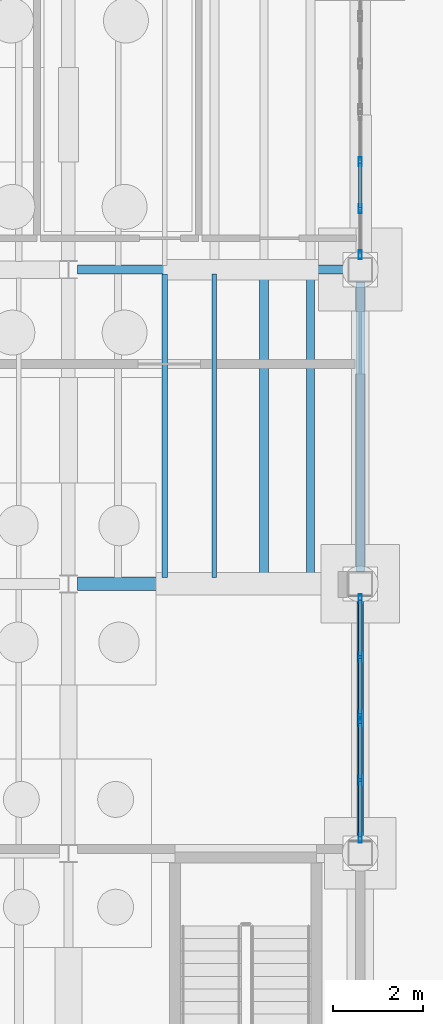
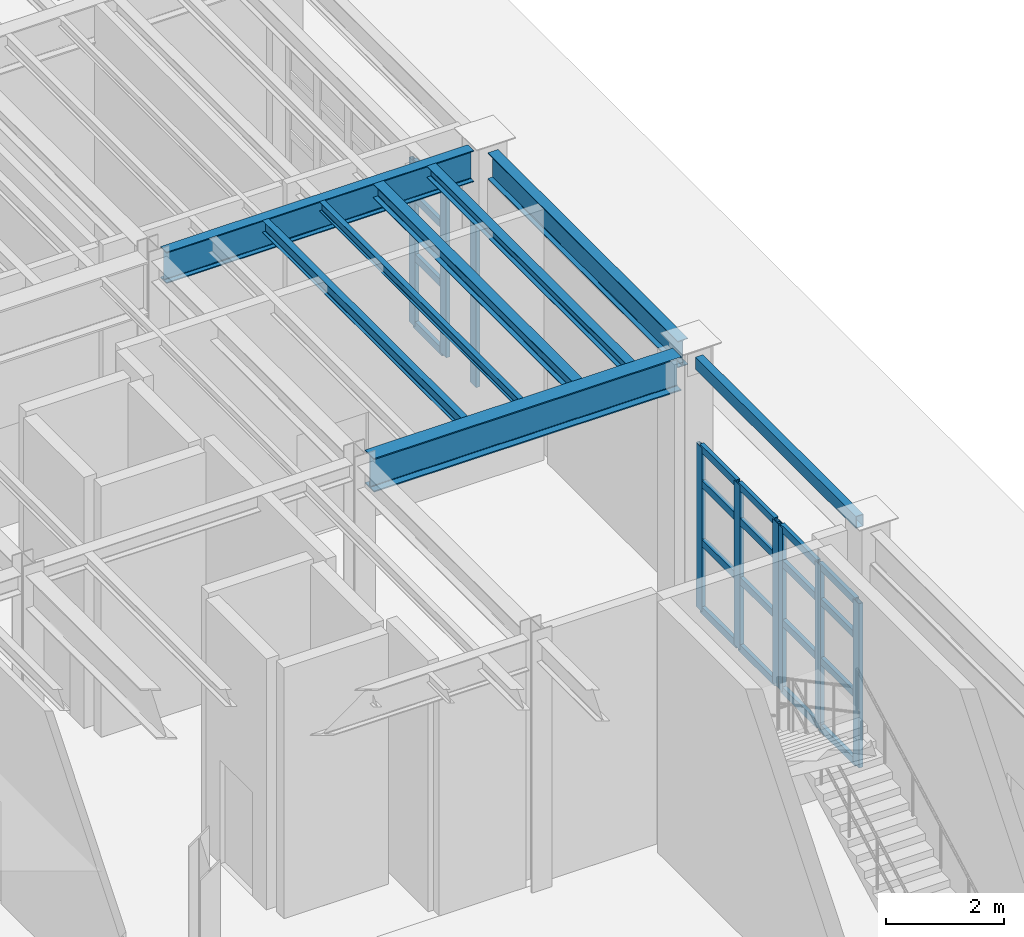
# One storey, part 45 of 86: 29 members, 8 beams, 3 elements without a shape of their own.
"""IFC4 building model written with IfcOpenShell, lengths in metres."""

from ifc_helpers import new_model, si_unit, direction, frame, origin, origin_2d, place, context, subcontext, project, spatial, hollow_rectangle, i_section, extrude, material, material_profile, profile_set, type_object, element, aggregate, save


model = new_model("IFC4")

# Units and contexts
model_context = context("Model", 3, precision=1e-05, world=origin(), true_north=direction((0.0, 1.0)))
body_context = subcontext(model_context, "Body", "Model", "MODEL_VIEW")
ifc_project = project(units=[si_unit("LENGTHUNIT", "METRE"), si_unit("AREAUNIT", "SQUARE_METRE"), si_unit("VOLUMEUNIT", "CUBIC_METRE"), si_unit("PLANEANGLEUNIT", "RADIAN"), si_unit("MASSUNIT", "GRAM", prefix="KILO"), si_unit("THERMODYNAMICTEMPERATUREUNIT", "KELVIN"), si_unit("POWERUNIT", "WATT")], contexts=[model_context])

# Site, building, storey
site_placement = place(None, origin())
site = spatial("IfcSite", under=ifc_project, at=site_placement, CompositionType="ELEMENT")
building_placement = place(site_placement, origin())
building = spatial("IfcBuilding", under=site, at=building_placement, Name="Zhenchuan Central Fire Station", CompositionType="ELEMENT")
storey_placement = place(building_placement, frame((0.0, 0.0, 0.449951171875)))
storey = spatial("IfcBuildingStorey", under=building, at=storey_placement, Name="L01", CompositionType="ELEMENT", Elevation=0.449951171875)

# Beams
ifc_material_1 = material(Name="Steel Q355B", Category="steel")
ifc_material_profile_1 = material_profile(ifc_material_1, i_section(OverallWidth=0.199951171875, OverallDepth=0.550048828125, WebThickness=0.010009765625, FlangeThickness=0.01611328125, FilletRadius=0.02001953125, at=origin_2d()), Name="HN 550x200")
ifc_profile_set_1 = profile_set([ifc_material_profile_1], Name="Steel Q355B")
beam_type_1 = type_object("IfcBeamType", Name="BM-HN550", PredefinedType="BEAM", material=ifc_profile_set_1)
beam_1_placement = place(storey_placement, frame((161.0, 28.77490234375, 4.925048828125), z_axis=(0.0, 1.0, 0.0), x_axis=(-1.0, 0.0, 0.0)))
element("IfcBeam", 1, at=beam_1_placement, inside=storey, type_object=beam_type_1, Name="L02 Girder NS 0179", PredefinedType="BEAM", context=body_context, shape_type="SweptSolid", body=[
    extrude(i_section(OverallWidth=0.199951171875, OverallDepth=0.550048828125, WebThickness=0.010009765625, FlangeThickness=0.01611328125, FilletRadius=0.02001953125, at=origin_2d()), origin(), (0.0, 0.0, 1.0), 6.4501953125),
])
ifc_material_profile_2 = material_profile(ifc_material_1, i_section(OverallWidth=0.199951171875, OverallDepth=0.64990234375, WebThickness=0.011962890625, FlangeThickness=0.02001953125, FilletRadius=0.02197265625, at=origin_2d()), Name="HN 650x200")
ifc_profile_set_2 = profile_set([ifc_material_profile_2], Name="Steel Q355B")
beam_type_2 = type_object("IfcBeamType", Name="BM-HN650", PredefinedType="BEAM", material=ifc_profile_set_2)
beam_2_placement = place(storey_placement, frame((154.699951171875, 35.5, 4.875), z_axis=(1.0, 0.0, 0.0), x_axis=(0.0, 1.0, 0.0)))
element("IfcBeam", 2, at=beam_2_placement, inside=storey, type_object=beam_type_2, Name="L02 Girder EW 0071", PredefinedType="BEAM", context=body_context, shape_type="SweptSolid", body=[
    extrude(i_section(OverallWidth=0.199951171875, OverallDepth=0.64990234375, WebThickness=0.011962890625, FlangeThickness=0.02001953125, FilletRadius=0.02197265625, at=origin_2d()), origin(), (0.0, 0.0, 1.0), 6.025146484375),
])
ifc_material_profile_3 = material_profile(ifc_material_1, i_section(OverallWidth=0.300048828125, OverallDepth=0.699951171875, WebThickness=0.012939453125, FlangeThickness=0.02392578125, FilletRadius=0.02392578125, at=origin_2d()), Name="HN 700x300")
ifc_profile_set_3 = profile_set([ifc_material_profile_3], Name="Steel Q355B")
beam_type_3 = type_object("IfcBeamType", Name="BM-HN700", PredefinedType="BEAM", material=ifc_profile_set_3)
beam_3_placement = place(storey_placement, frame((154.699951171875, 28.5, 4.85009765625), z_axis=(1.0, 0.0, 0.0), x_axis=(0.0, 1.0, 0.0)))
element("IfcBeam", 3, at=beam_3_placement, inside=storey, type_object=beam_type_3, Name="L02 Girder EW 0052", PredefinedType="BEAM", context=body_context, shape_type="SweptSolid", body=[
    extrude(i_section(OverallWidth=0.300048828125, OverallDepth=0.699951171875, WebThickness=0.012939453125, FlangeThickness=0.02392578125, FilletRadius=0.02392578125, at=origin_2d()), origin(), (0.0, 0.0, 1.0), 6.025146484375),
])

# Curtain wall, members
ifc_material_2 = material(Name="Anodised aluminium and low-E glazing", Category="aluminium")
curtain_wall_type_1 = type_object("IfcCurtainWallType", Name="CW-MOD-07", PredefinedType="USERDEFINED", material=ifc_material_2)
curtain_wall_1_placement = place(storey_placement, origin())
curtain_wall_1 = element("IfcCurtainWall", 4, at=curtain_wall_1_placement, inside=storey, type_object=curtain_wall_type_1, Name="L01 Unitised Curtain Wall 076", ObjectType="UNITISED GLAZING", PredefinedType="USERDEFINED")
ifc_material_3 = material(Name="Anodised aluminium EN AW-6063", Category="aluminium")
ifc_material_profile_4 = material_profile(ifc_material_3, hollow_rectangle(XDim=0.074951171875, YDim=0.199951171875, WallThickness=0.0048828125, at=origin_2d()), Name="ALU-M 200x75")
ifc_profile_set_4 = profile_set([ifc_material_profile_4], Name="Anodised aluminium EN AW-6063")
member_type_1 = type_object("IfcMemberType", Name="CW-MUL160", PredefinedType="MULLION", material=ifc_profile_set_4)
member_1_placement = place(storey_placement, frame((161.0, 22.83251953125, -0.00390625), z_axis=(0.0, 0.0, 1.0), x_axis=(-1.0, 0.0, 0.0)))
member_1 = element("IfcMember", 5, at=member_1_placement, type_object=member_type_1, Name="CW-07 mullion 1", PredefinedType="MULLION", context=body_context, shape_type="SweptSolid", body=[
    extrude(hollow_rectangle(XDim=0.074951171875, YDim=0.199951171875, WallThickness=0.0048828125, at=origin_2d()), origin(), (0.0, 0.0, 1.0), 3.404052734375),
])
member_2_placement = place(storey_placement, frame((161.0, 24.131103515625, -0.00390625), z_axis=(0.0, 0.0, 1.0), x_axis=(-1.0, 0.0, 0.0)))
member_2 = element("IfcMember", 6, at=member_2_placement, type_object=member_type_1, Name="CW-07 mullion 2", PredefinedType="MULLION", context=body_context, shape_type="SweptSolid", body=[
    extrude(hollow_rectangle(XDim=0.074951171875, YDim=0.199951171875, WallThickness=0.0048828125, at=origin_2d()), origin(), (0.0, 0.0, 1.0), 3.404052734375),
])
member_3_placement = place(storey_placement, frame((161.0, 25.429443359375, -0.00390625), z_axis=(0.0, 0.0, 1.0), x_axis=(-1.0, 0.0, 0.0)))
member_3 = element("IfcMember", 7, at=member_3_placement, type_object=member_type_1, Name="CW-07 mullion 3", PredefinedType="MULLION", context=body_context, shape_type="SweptSolid", body=[
    extrude(hollow_rectangle(XDim=0.074951171875, YDim=0.199951171875, WallThickness=0.0048828125, at=origin_2d()), origin(), (0.0, 0.0, 1.0), 3.404052734375),
])

curtain_wall_type_2 = type_object("IfcCurtainWallType", Name="CW-MOD-08", PredefinedType="USERDEFINED", material=ifc_material_2)
curtain_wall_2_placement = place(storey_placement, origin())
curtain_wall_2 = element("IfcCurtainWall", 8, at=curtain_wall_2_placement, inside=storey, type_object=curtain_wall_type_2, Name="L01 Unitised Curtain Wall 077", ObjectType="UNITISED GLAZING", PredefinedType="USERDEFINED")
member_4_placement = place(storey_placement, frame((161.0, 25.570556640625, -0.00390625), z_axis=(0.0, 0.0, 1.0), x_axis=(-1.0, 0.0, 0.0)))
member_4 = element("IfcMember", 9, at=member_4_placement, type_object=member_type_1, Name="CW-08 mullion 1", PredefinedType="MULLION", context=body_context, shape_type="SweptSolid", body=[
    extrude(hollow_rectangle(XDim=0.074951171875, YDim=0.199951171875, WallThickness=0.0048828125, at=origin_2d()), origin(), (0.0, 0.0, 1.0), 3.404052734375),
])
member_5_placement = place(storey_placement, frame((161.0, 26.868896484375, -0.00390625), z_axis=(0.0, 0.0, 1.0), x_axis=(-1.0, 0.0, 0.0)))
member_5 = element("IfcMember", 10, at=member_5_placement, type_object=member_type_1, Name="CW-08 mullion 2", PredefinedType="MULLION", context=body_context, shape_type="SweptSolid", body=[
    extrude(hollow_rectangle(XDim=0.074951171875, YDim=0.199951171875, WallThickness=0.0048828125, at=origin_2d()), origin(), (0.0, 0.0, 1.0), 3.404052734375),
])
member_6_placement = place(storey_placement, frame((161.0, 28.16748046875, -0.00390625), z_axis=(0.0, 0.0, 1.0), x_axis=(-1.0, 0.0, 0.0)))
member_6 = element("IfcMember", 11, at=member_6_placement, type_object=member_type_1, Name="CW-08 mullion 3", PredefinedType="MULLION", context=body_context, shape_type="SweptSolid", body=[
    extrude(hollow_rectangle(XDim=0.074951171875, YDim=0.199951171875, WallThickness=0.0048828125, at=origin_2d()), origin(), (0.0, 0.0, 1.0), 3.404052734375),
])

curtain_wall_type_3 = type_object("IfcCurtainWallType", Name="CW-MOD-11", PredefinedType="USERDEFINED", material=ifc_material_2)
curtain_wall_3_placement = place(storey_placement, origin())
curtain_wall_3 = element("IfcCurtainWall", 12, at=curtain_wall_3_placement, inside=storey, type_object=curtain_wall_type_3, Name="L01 Unitised Curtain Wall 078", ObjectType="UNITISED GLAZING", PredefinedType="USERDEFINED")
member_7_placement = place(storey_placement, frame((161.0, 35.83251953125, -0.00390625), z_axis=(0.0, 0.0, 1.0), x_axis=(-1.0, 0.0, 0.0)))
member_7 = element("IfcMember", 13, at=member_7_placement, type_object=member_type_1, Name="CW-11 mullion 1", PredefinedType="MULLION", context=body_context, shape_type="SweptSolid", body=[
    extrude(hollow_rectangle(XDim=0.074951171875, YDim=0.199951171875, WallThickness=0.0048828125, at=origin_2d()), origin(), (0.0, 0.0, 1.0), 3.404052734375),
])
member_8_placement = place(storey_placement, frame((161.0, 36.85400390625, -0.00390625), z_axis=(0.0, 0.0, 1.0), x_axis=(-1.0, 0.0, 0.0)))
member_8 = element("IfcMember", 14, at=member_8_placement, type_object=member_type_1, Name="CW-11 mullion 2", PredefinedType="MULLION", context=body_context, shape_type="SweptSolid", body=[
    extrude(hollow_rectangle(XDim=0.074951171875, YDim=0.199951171875, WallThickness=0.0048828125, at=origin_2d()), origin(), (0.0, 0.0, 1.0), 3.404052734375),
])
member_9_placement = place(storey_placement, frame((161.0, 37.907958984375, -0.00390625), z_axis=(0.0, 0.0, 1.0), x_axis=(-1.0, 0.0, 0.0)))
member_9 = element("IfcMember", 15, at=member_9_placement, type_object=member_type_1, Name="CW-11 mullion 3", PredefinedType="MULLION", context=body_context, shape_type="SweptSolid", body=[
    extrude(hollow_rectangle(XDim=0.074951171875, YDim=0.199951171875, WallThickness=0.0048828125, at=origin_2d()), origin(), (0.0, 0.0, 1.0), 3.404052734375),
])

# Member
ifc_material_profile_5 = material_profile(ifc_material_3, hollow_rectangle(XDim=0.074951171875, YDim=0.14990234375, WallThickness=0.0048828125, at=origin_2d()), Name="ALU-T 150x75")
ifc_profile_set_5 = profile_set([ifc_material_profile_5], Name="Anodised aluminium EN AW-6063")
member_type_2 = type_object("IfcMemberType", Name="CW-TRN130", PredefinedType="NOTDEFINED", material=ifc_profile_set_5)
member_10_placement = place(storey_placement, frame((161.0, 22.864990234375, 0.028564453125), z_axis=(0.0, 1.0, 0.0), x_axis=(-1.0, 0.0, 0.0)))
member_10 = element("IfcMember", 16, at=member_10_placement, type_object=member_type_2, Name="CW-07 transom 1.1", ObjectType="TRANSOM", PredefinedType="USERDEFINED", context=body_context, shape_type="SweptSolid", body=[
    extrude(hollow_rectangle(XDim=0.074951171875, YDim=0.14990234375, WallThickness=0.0048828125, at=origin_2d()), origin(), (0.0, 0.0, 1.0), 1.2333984375),
])

member_11_placement = place(storey_placement, frame((161.0, 22.864990234375, 1.427978515625), z_axis=(0.0, 1.0, 0.0), x_axis=(-1.0, 0.0, 0.0)))
member_11 = element("IfcMember", 17, at=member_11_placement, type_object=member_type_2, Name="CW-07 transom 1.2", ObjectType="TRANSOM", PredefinedType="USERDEFINED", context=body_context, shape_type="SweptSolid", body=[
    extrude(hollow_rectangle(XDim=0.074951171875, YDim=0.14990234375, WallThickness=0.0048828125, at=origin_2d()), origin(), (0.0, 0.0, 1.0), 1.2333984375),
])

member_12_placement = place(storey_placement, frame((161.0, 22.864990234375, 2.652099609375), z_axis=(0.0, 1.0, 0.0), x_axis=(-1.0, 0.0, 0.0)))
member_12 = element("IfcMember", 18, at=member_12_placement, type_object=member_type_2, Name="CW-07 transom 1.3", ObjectType="TRANSOM", PredefinedType="USERDEFINED", context=body_context, shape_type="SweptSolid", body=[
    extrude(hollow_rectangle(XDim=0.074951171875, YDim=0.14990234375, WallThickness=0.0048828125, at=origin_2d()), origin(), (0.0, 0.0, 1.0), 1.2333984375),
])

member_13_placement = place(storey_placement, frame((161.0, 22.864990234375, 3.367431640625), z_axis=(0.0, 1.0, 0.0), x_axis=(-1.0, 0.0, 0.0)))
member_13 = element("IfcMember", 19, at=member_13_placement, type_object=member_type_2, Name="CW-07 transom 1.4", ObjectType="TRANSOM", PredefinedType="USERDEFINED", context=body_context, shape_type="SweptSolid", body=[
    extrude(hollow_rectangle(XDim=0.074951171875, YDim=0.14990234375, WallThickness=0.0048828125, at=origin_2d()), origin(), (0.0, 0.0, 1.0), 1.2333984375),
])

member_14_placement = place(storey_placement, frame((161.0, 24.16357421875, 0.028564453125), z_axis=(0.0, 1.0, 0.0), x_axis=(-1.0, 0.0, 0.0)))
member_14 = element("IfcMember", 20, at=member_14_placement, type_object=member_type_2, Name="CW-07 transom 2.1", ObjectType="TRANSOM", PredefinedType="USERDEFINED", context=body_context, shape_type="SweptSolid", body=[
    extrude(hollow_rectangle(XDim=0.074951171875, YDim=0.14990234375, WallThickness=0.0048828125, at=origin_2d()), origin(), (0.0, 0.0, 1.0), 1.2333984375),
])

member_15_placement = place(storey_placement, frame((161.0, 24.16357421875, 1.427978515625), z_axis=(0.0, 1.0, 0.0), x_axis=(-1.0, 0.0, 0.0)))
member_15 = element("IfcMember", 21, at=member_15_placement, type_object=member_type_2, Name="CW-07 transom 2.2", ObjectType="TRANSOM", PredefinedType="USERDEFINED", context=body_context, shape_type="SweptSolid", body=[
    extrude(hollow_rectangle(XDim=0.074951171875, YDim=0.14990234375, WallThickness=0.0048828125, at=origin_2d()), origin(), (0.0, 0.0, 1.0), 1.2333984375),
])

member_16_placement = place(storey_placement, frame((161.0, 24.16357421875, 2.652099609375), z_axis=(0.0, 1.0, 0.0), x_axis=(-1.0, 0.0, 0.0)))
member_16 = element("IfcMember", 22, at=member_16_placement, type_object=member_type_2, Name="CW-07 transom 2.3", ObjectType="TRANSOM", PredefinedType="USERDEFINED", context=body_context, shape_type="SweptSolid", body=[
    extrude(hollow_rectangle(XDim=0.074951171875, YDim=0.14990234375, WallThickness=0.0048828125, at=origin_2d()), origin(), (0.0, 0.0, 1.0), 1.2333984375),
])

member_17_placement = place(storey_placement, frame((161.0, 24.16357421875, 3.367431640625), z_axis=(0.0, 1.0, 0.0), x_axis=(-1.0, 0.0, 0.0)))
member_17 = element("IfcMember", 23, at=member_17_placement, type_object=member_type_2, Name="CW-07 transom 2.4", ObjectType="TRANSOM", PredefinedType="USERDEFINED", context=body_context, shape_type="SweptSolid", body=[
    extrude(hollow_rectangle(XDim=0.074951171875, YDim=0.14990234375, WallThickness=0.0048828125, at=origin_2d()), origin(), (0.0, 0.0, 1.0), 1.2333984375),
])

aggregate(curtain_wall_1, [member_1, member_2, member_3, member_10, member_11, member_12, member_13, member_14, member_15, member_16, member_17])

member_18_placement = place(storey_placement, frame((161.0, 25.60302734375, 0.028564453125), z_axis=(0.0, 1.0, 0.0), x_axis=(-1.0, 0.0, 0.0)))
member_18 = element("IfcMember", 24, at=member_18_placement, type_object=member_type_2, Name="CW-08 transom 1.1", ObjectType="TRANSOM", PredefinedType="USERDEFINED", context=body_context, shape_type="SweptSolid", body=[
    extrude(hollow_rectangle(XDim=0.074951171875, YDim=0.14990234375, WallThickness=0.0048828125, at=origin_2d()), origin(), (0.0, 0.0, 1.0), 1.2333984375),
])

member_19_placement = place(storey_placement, frame((161.0, 25.60302734375, 1.427978515625), z_axis=(0.0, 1.0, 0.0), x_axis=(-1.0, 0.0, 0.0)))
member_19 = element("IfcMember", 25, at=member_19_placement, type_object=member_type_2, Name="CW-08 transom 1.2", ObjectType="TRANSOM", PredefinedType="USERDEFINED", context=body_context, shape_type="SweptSolid", body=[
    extrude(hollow_rectangle(XDim=0.074951171875, YDim=0.14990234375, WallThickness=0.0048828125, at=origin_2d()), origin(), (0.0, 0.0, 1.0), 1.2333984375),
])

member_20_placement = place(storey_placement, frame((161.0, 25.60302734375, 2.652099609375), z_axis=(0.0, 1.0, 0.0), x_axis=(-1.0, 0.0, 0.0)))
member_20 = element("IfcMember", 26, at=member_20_placement, type_object=member_type_2, Name="CW-08 transom 1.3", ObjectType="TRANSOM", PredefinedType="USERDEFINED", context=body_context, shape_type="SweptSolid", body=[
    extrude(hollow_rectangle(XDim=0.074951171875, YDim=0.14990234375, WallThickness=0.0048828125, at=origin_2d()), origin(), (0.0, 0.0, 1.0), 1.2333984375),
])

member_21_placement = place(storey_placement, frame((161.0, 25.60302734375, 3.367431640625), z_axis=(0.0, 1.0, 0.0), x_axis=(-1.0, 0.0, 0.0)))
member_21 = element("IfcMember", 27, at=member_21_placement, type_object=member_type_2, Name="CW-08 transom 1.4", ObjectType="TRANSOM", PredefinedType="USERDEFINED", context=body_context, shape_type="SweptSolid", body=[
    extrude(hollow_rectangle(XDim=0.074951171875, YDim=0.14990234375, WallThickness=0.0048828125, at=origin_2d()), origin(), (0.0, 0.0, 1.0), 1.2333984375),
])

member_22_placement = place(storey_placement, frame((161.0, 26.901611328125, 0.028564453125), z_axis=(0.0, 1.0, 0.0), x_axis=(-1.0, 0.0, 0.0)))
member_22 = element("IfcMember", 28, at=member_22_placement, type_object=member_type_2, Name="CW-08 transom 2.1", ObjectType="TRANSOM", PredefinedType="USERDEFINED", context=body_context, shape_type="SweptSolid", body=[
    extrude(hollow_rectangle(XDim=0.074951171875, YDim=0.14990234375, WallThickness=0.0048828125, at=origin_2d()), origin(), (0.0, 0.0, 1.0), 1.2333984375),
])

member_23_placement = place(storey_placement, frame((161.0, 26.901611328125, 1.427978515625), z_axis=(0.0, 1.0, 0.0), x_axis=(-1.0, 0.0, 0.0)))
member_23 = element("IfcMember", 29, at=member_23_placement, type_object=member_type_2, Name="CW-08 transom 2.2", ObjectType="TRANSOM", PredefinedType="USERDEFINED", context=body_context, shape_type="SweptSolid", body=[
    extrude(hollow_rectangle(XDim=0.074951171875, YDim=0.14990234375, WallThickness=0.0048828125, at=origin_2d()), origin(), (0.0, 0.0, 1.0), 1.2333984375),
])

member_24_placement = place(storey_placement, frame((161.0, 26.901611328125, 2.652099609375), z_axis=(0.0, 1.0, 0.0), x_axis=(-1.0, 0.0, 0.0)))
member_24 = element("IfcMember", 30, at=member_24_placement, type_object=member_type_2, Name="CW-08 transom 2.3", ObjectType="TRANSOM", PredefinedType="USERDEFINED", context=body_context, shape_type="SweptSolid", body=[
    extrude(hollow_rectangle(XDim=0.074951171875, YDim=0.14990234375, WallThickness=0.0048828125, at=origin_2d()), origin(), (0.0, 0.0, 1.0), 1.2333984375),
])

member_25_placement = place(storey_placement, frame((161.0, 26.901611328125, 3.367431640625), z_axis=(0.0, 1.0, 0.0), x_axis=(-1.0, 0.0, 0.0)))
member_25 = element("IfcMember", 31, at=member_25_placement, type_object=member_type_2, Name="CW-08 transom 2.4", ObjectType="TRANSOM", PredefinedType="USERDEFINED", context=body_context, shape_type="SweptSolid", body=[
    extrude(hollow_rectangle(XDim=0.074951171875, YDim=0.14990234375, WallThickness=0.0048828125, at=origin_2d()), origin(), (0.0, 0.0, 1.0), 1.2333984375),
])

aggregate(curtain_wall_2, [member_4, member_5, member_6, member_18, member_19, member_20, member_21, member_22, member_23, member_24, member_25])

member_26_placement = place(storey_placement, frame((161.0, 36.886474609375, 0.028564453125), z_axis=(0.0, 1.0, 0.0), x_axis=(-1.0, 0.0, 0.0)))
member_26 = element("IfcMember", 32, at=member_26_placement, type_object=member_type_2, Name="CW-11 transom 2.1", ObjectType="TRANSOM", PredefinedType="USERDEFINED", context=body_context, shape_type="SweptSolid", body=[
    extrude(hollow_rectangle(XDim=0.074951171875, YDim=0.14990234375, WallThickness=0.0048828125, at=origin_2d()), origin(), (0.0, 0.0, 1.0), 0.989013671875),
])

member_27_placement = place(storey_placement, frame((161.0, 36.886474609375, 1.427978515625), z_axis=(0.0, 1.0, 0.0), x_axis=(-1.0, 0.0, 0.0)))
member_27 = element("IfcMember", 33, at=member_27_placement, type_object=member_type_2, Name="CW-11 transom 2.2", ObjectType="TRANSOM", PredefinedType="USERDEFINED", context=body_context, shape_type="SweptSolid", body=[
    extrude(hollow_rectangle(XDim=0.074951171875, YDim=0.14990234375, WallThickness=0.0048828125, at=origin_2d()), origin(), (0.0, 0.0, 1.0), 0.989013671875),
])

member_28_placement = place(storey_placement, frame((161.0, 36.886474609375, 2.652099609375), z_axis=(0.0, 1.0, 0.0), x_axis=(-1.0, 0.0, 0.0)))
member_28 = element("IfcMember", 34, at=member_28_placement, type_object=member_type_2, Name="CW-11 transom 2.3", ObjectType="TRANSOM", PredefinedType="USERDEFINED", context=body_context, shape_type="SweptSolid", body=[
    extrude(hollow_rectangle(XDim=0.074951171875, YDim=0.14990234375, WallThickness=0.0048828125, at=origin_2d()), origin(), (0.0, 0.0, 1.0), 0.989013671875),
])

member_29_placement = place(storey_placement, frame((161.0, 36.886474609375, 3.367431640625), z_axis=(0.0, 1.0, 0.0), x_axis=(-1.0, 0.0, 0.0)))
member_29 = element("IfcMember", 35, at=member_29_placement, type_object=member_type_2, Name="CW-11 transom 2.4", ObjectType="TRANSOM", PredefinedType="USERDEFINED", context=body_context, shape_type="SweptSolid", body=[
    extrude(hollow_rectangle(XDim=0.074951171875, YDim=0.14990234375, WallThickness=0.0048828125, at=origin_2d()), origin(), (0.0, 0.0, 1.0), 0.989013671875),
])

aggregate(curtain_wall_3, [member_7, member_8, member_9, member_26, member_27, member_28, member_29])

# Beams
ifc_material_profile_6 = material_profile(ifc_material_1, i_section(OverallWidth=0.175048828125, OverallDepth=0.243896484375, WebThickness=0.007080078125, FlangeThickness=0.010986328125, FilletRadius=0.012939453125, at=origin_2d()), Name="HM 244x175")
ifc_profile_set_6 = profile_set([ifc_material_profile_6], Name="Steel Q355B")
beam_type_4 = type_object("IfcBeamType", Name="JS-HM244", PredefinedType="JOIST", material=ifc_profile_set_6)
beam_4_placement = place(storey_placement, frame((159.89501953125, 28.64697265625, 5.078125), z_axis=(0.0, 1.0, 0.0), x_axis=(-1.0, 0.0, 0.0)))
element("IfcBeam", 36, at=beam_4_placement, inside=storey, type_object=beam_type_4, Name="L02 Secondary Joist 0175", PredefinedType="JOIST", context=body_context, shape_type="SweptSolid", body=[
    extrude(i_section(OverallWidth=0.175048828125, OverallDepth=0.243896484375, WebThickness=0.007080078125, FlangeThickness=0.010986328125, FilletRadius=0.012939453125, at=origin_2d()), origin(), (0.0, 0.0, 1.0), 6.756103515625),
])
ifc_material_profile_7 = material_profile(ifc_material_1, i_section(OverallWidth=0.199951171875, OverallDepth=0.2939453125, WebThickness=0.008056640625, FlangeThickness=0.011962890625, FilletRadius=0.01611328125, at=origin_2d()), Name="HM 294x200")
ifc_profile_set_7 = profile_set([ifc_material_profile_7], Name="Steel Q355B")
beam_type_5 = type_object("IfcBeamType", Name="JS-HM294", PredefinedType="JOIST", material=ifc_profile_set_7)
beam_5_placement = place(storey_placement, frame((158.85498046875, 28.64697265625, 5.052978515625), z_axis=(0.0, 1.0, 0.0), x_axis=(-1.0, 0.0, 0.0)))
element("IfcBeam", 37, at=beam_5_placement, inside=storey, type_object=beam_type_5, Name="L02 Secondary Joist 0174", PredefinedType="JOIST", context=body_context, shape_type="SweptSolid", body=[
    extrude(i_section(OverallWidth=0.199951171875, OverallDepth=0.2939453125, WebThickness=0.008056640625, FlangeThickness=0.011962890625, FilletRadius=0.01611328125, at=origin_2d()), origin(), (0.0, 0.0, 1.0), 6.756103515625),
])
ifc_material_profile_8 = material_profile(ifc_material_1, i_section(OverallWidth=0.10009765625, OverallDepth=0.199951171875, WebThickness=0.005615234375, FlangeThickness=0.008056640625, FilletRadius=0.010986328125, at=origin_2d()), Name="HN 200x100")
ifc_profile_set_8 = profile_set([ifc_material_profile_8], Name="Steel Q355B")
beam_type_6 = type_object("IfcBeamType", Name="JS-HN200", PredefinedType="JOIST", material=ifc_profile_set_8)
beam_6_placement = place(storey_placement, frame((157.75, 28.64697265625, 5.10009765625), z_axis=(0.0, 1.0, 0.0), x_axis=(-1.0, 0.0, 0.0)))
element("IfcBeam", 38, at=beam_6_placement, inside=storey, type_object=beam_type_6, Name="L02 Secondary Joist 0173", PredefinedType="JOIST", context=body_context, shape_type="SweptSolid", body=[
    extrude(i_section(OverallWidth=0.10009765625, OverallDepth=0.199951171875, WebThickness=0.005615234375, FlangeThickness=0.008056640625, FilletRadius=0.010986328125, at=origin_2d()), origin(), (0.0, 0.0, 1.0), 6.756103515625),
])
ifc_material_profile_9 = material_profile(ifc_material_1, i_section(OverallWidth=0.125, OverallDepth=0.25, WebThickness=0.006103515625, FlangeThickness=0.009033203125, FilletRadius=0.011962890625, at=origin_2d()), Name="HN 250x125")
ifc_profile_set_9 = profile_set([ifc_material_profile_9], Name="Steel Q355B")
beam_type_7 = type_object("IfcBeamType", Name="JS-HN250", PredefinedType="JOIST", material=ifc_profile_set_9)
beam_7_placement = place(storey_placement, frame((156.64501953125, 28.64697265625, 5.074951171875), z_axis=(0.0, 1.0, 0.0), x_axis=(-1.0, 0.0, 0.0)))
element("IfcBeam", 39, at=beam_7_placement, inside=storey, type_object=beam_type_7, Name="L02 Secondary Joist 0172", PredefinedType="JOIST", context=body_context, shape_type="SweptSolid", body=[
    extrude(i_section(OverallWidth=0.125, OverallDepth=0.25, WebThickness=0.006103515625, FlangeThickness=0.009033203125, FilletRadius=0.011962890625, at=origin_2d()), origin(), (0.0, 0.0, 1.0), 6.756103515625),
])
ifc_material_profile_10 = material_profile(ifc_material_1, hollow_rectangle(XDim=0.14990234375, YDim=0.25, WallThickness=0.010009765625, at=origin_2d()), Name="RHS 250x150x10")
ifc_profile_set_10 = profile_set([ifc_material_profile_10], Name="Steel Q355B")
beam_type_8 = type_object("IfcBeamType", Name="SP-RHS250", PredefinedType="SPANDREL", material=ifc_profile_set_10)
beam_8_placement = place(storey_placement, frame((161.0, 22.77490234375, 5.074951171875), z_axis=(0.0, 1.0, 0.0), x_axis=(-1.0, 0.0, 0.0)))
element("IfcBeam", 40, at=beam_8_placement, inside=storey, type_object=beam_type_8, Name="L02 Girder NS 0178", PredefinedType="SPANDREL", context=body_context, shape_type="SweptSolid", body=[
    extrude(hollow_rectangle(XDim=0.14990234375, YDim=0.25, WallThickness=0.010009765625, at=origin_2d()), origin(), (0.0, 0.0, 1.0), 5.4501953125),
])

save(model, "model.ifc")
